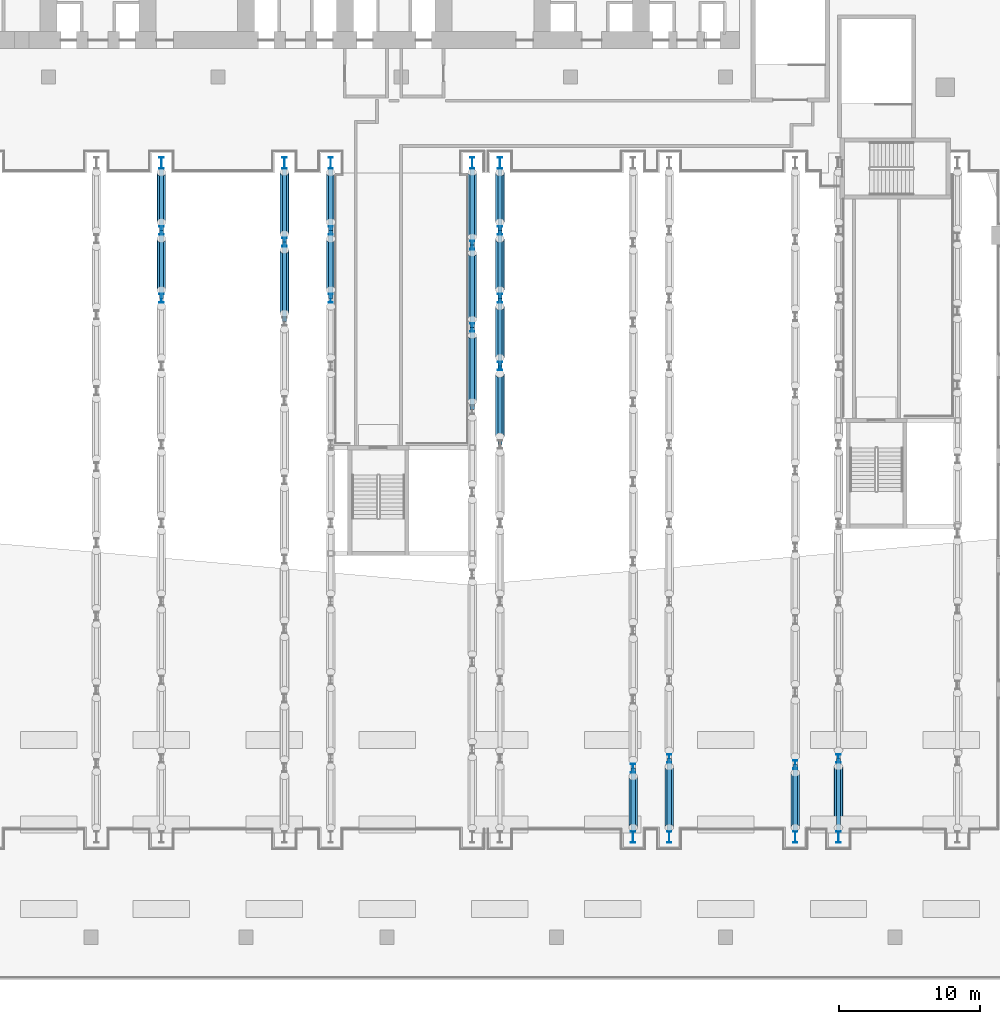
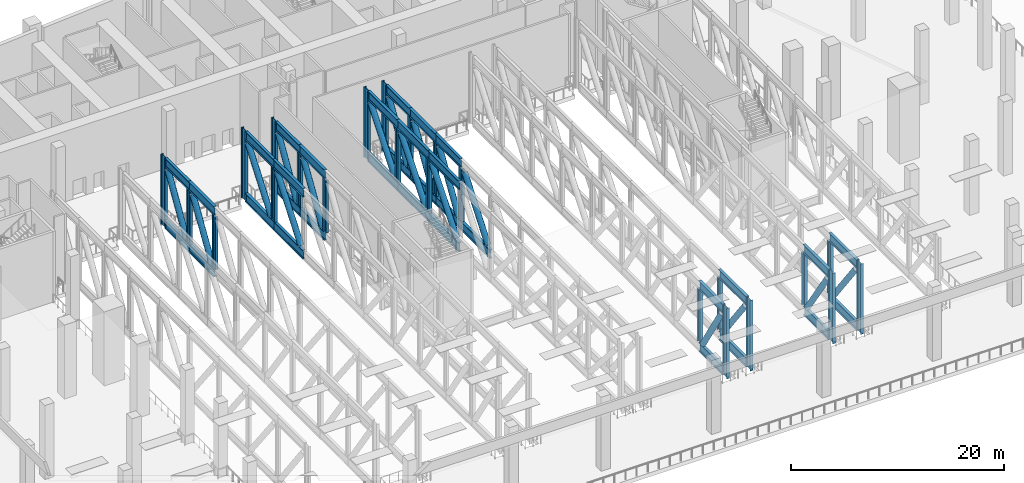
# One storey, part 4 of 33: 73 members.
"""IFC4 building model written with IfcOpenShell, lengths in metres."""

from ifc_helpers import new_model, si_unit, direction, frame, origin, origin_2d, place, context, subcontext, project, spatial, hollow_circle, i_section, extrude, material, material_profile, profile_set, type_object, element, save


model = new_model("IFC4")

# Units and contexts
model_context = context("Model", 3, precision=1e-05, world=origin(), true_north=direction((0.0, 1.0)))
body_context = subcontext(model_context, "Body", "Model", "MODEL_VIEW")
ifc_project = project(units=[si_unit("LENGTHUNIT", "METRE"), si_unit("AREAUNIT", "SQUARE_METRE"), si_unit("VOLUMEUNIT", "CUBIC_METRE"), si_unit("PLANEANGLEUNIT", "RADIAN"), si_unit("MASSUNIT", "GRAM", prefix="KILO")], contexts=[model_context])

# Site, building, storey
site_placement = place(None, origin())
site = spatial("IfcSite", under=ifc_project, at=site_placement, CompositionType="ELEMENT")
building_placement = place(site_placement, origin())
building = spatial("IfcBuilding", under=site, at=building_placement, Name="Wharfspan Tower", CompositionType="ELEMENT")
storey_placement = place(building_placement, frame((0.0, 0.0, 33.0)))
storey = spatial("IfcBuildingStorey", under=building, at=storey_placement, Name="L05", CompositionType="ELEMENT", Elevation=33.0)

# Members
ifc_material_1 = material(Name="Steel S460NH", Category="steel")
ifc_material_profile_1 = material_profile(ifc_material_1, hollow_circle(Radius=0.304932, WallThickness=0.030029, at=origin_2d()))
ifc_profile_set_1 = profile_set([ifc_material_profile_1], Name="Steel S460NH")
member_type_1 = type_object("IfcMemberType", Name="Truss member CHS 610x30", PredefinedType="BRACE", material=ifc_profile_set_1)
member_1_placement = place(storey_placement, frame((24.0, 20.507568, 6.935791), z_axis=(0.0, -0.530824, -0.847482), x_axis=(1.0, 0.0, 0.0)))
element("IfcMember", 1, at=member_1_placement, inside=storey, type_object=member_type_1, Name="Truss diagonal T3", PredefinedType="BRACE", context=body_context, shape_type="SweptSolid", body=[
    extrude(hollow_circle(Radius=0.304932, WallThickness=0.030029, at=origin_2d()), origin(), (0.0, 0.0, 1.0), 6.810059),
])
member_2_placement = place(storey_placement, frame((24.0, 25.208496, 6.938965), z_axis=(0.0, -0.519631, -0.854391), x_axis=(1.0, 0.0, 0.0)))
element("IfcMember", 2, at=member_2_placement, inside=storey, type_object=member_type_1, Name="Truss diagonal T3", PredefinedType="BRACE", context=body_context, shape_type="SweptSolid", body=[
    extrude(hollow_circle(Radius=0.304932, WallThickness=0.030029, at=origin_2d()), origin(), (0.0, 0.0, 1.0), 6.762695),
])
member_3_placement = place(storey_placement, frame((32.724121, 19.703125, 6.911133), z_axis=(0.0, -0.61529, -0.788301), x_axis=(1.0, 0.0, 0.0)))
element("IfcMember", 3, at=member_3_placement, inside=storey, type_object=member_type_1, Name="Truss diagonal T4", PredefinedType="BRACE", context=body_context, shape_type="SweptSolid", body=[
    extrude(hollow_circle(Radius=0.304932, WallThickness=0.030029, at=origin_2d()), origin(), (0.0, 0.0, 1.0), 7.258789),
])
member_4_placement = place(storey_placement, frame((32.724121, 25.224365, 6.913818), z_axis=(0.0, -0.606209, -0.795306), x_axis=(1.0, 0.0, 0.0)))
element("IfcMember", 4, at=member_4_placement, inside=storey, type_object=member_type_1, Name="Truss diagonal T4", PredefinedType="BRACE", context=body_context, shape_type="SweptSolid", body=[
    extrude(hollow_circle(Radius=0.304932, WallThickness=0.030029, at=origin_2d()), origin(), (0.0, 0.0, 1.0), 7.20166),
])
member_5_placement = place(storey_placement, frame((36.0, 20.507568, 6.935791), z_axis=(0.0, -0.530824, -0.847482), x_axis=(1.0, 0.0, 0.0)))
element("IfcMember", 5, at=member_5_placement, inside=storey, type_object=member_type_1, Name="Truss diagonal T5", PredefinedType="BRACE", context=body_context, shape_type="SweptSolid", body=[
    extrude(hollow_circle(Radius=0.304932, WallThickness=0.030029, at=origin_2d()), origin(), (0.0, 0.0, 1.0), 6.810059),
])
member_6_placement = place(storey_placement, frame((36.0, 25.208496, 6.938965), z_axis=(0.0, -0.519631, -0.854391), x_axis=(1.0, 0.0, 0.0)))
element("IfcMember", 6, at=member_6_placement, inside=storey, type_object=member_type_1, Name="Truss diagonal T5", PredefinedType="BRACE", context=body_context, shape_type="SweptSolid", body=[
    extrude(hollow_circle(Radius=0.304932, WallThickness=0.030029, at=origin_2d()), origin(), (0.0, 0.0, 1.0), 6.762695),
])
member_7_placement = place(storey_placement, frame((46.041992, 13.6604, 6.905518), z_axis=(0.0, -0.634545, -0.772886), x_axis=(1.0, 0.0, 0.0)))
element("IfcMember", 7, at=member_7_placement, inside=storey, type_object=member_type_1, Name="Truss diagonal T6", PredefinedType="BRACE", context=body_context, shape_type="SweptSolid", body=[
    extrude(hollow_circle(Radius=0.304932, WallThickness=0.030029, at=origin_2d()), origin(), (0.0, 0.0, 1.0), 7.38916),
])
member_8_placement = place(storey_placement, frame((46.041992, 19.493164, 6.905518), z_axis=(0.0, -0.634446, -0.772967), x_axis=(1.0, 0.0, 0.0)))
element("IfcMember", 8, at=member_8_placement, inside=storey, type_object=member_type_1, Name="Truss diagonal T6", PredefinedType="BRACE", context=body_context, shape_type="SweptSolid", body=[
    extrude(hollow_circle(Radius=0.304932, WallThickness=0.030029, at=origin_2d()), origin(), (0.0, 0.0, 1.0), 7.388428),
])
member_9_placement = place(storey_placement, frame((46.041992, 25.228516, 6.907959), z_axis=(0.0, -0.625962, -0.779854), x_axis=(1.0, 0.0, 0.0)))
element("IfcMember", 9, at=member_9_placement, inside=storey, type_object=member_type_1, Name="Truss diagonal T6", PredefinedType="BRACE", context=body_context, shape_type="SweptSolid", body=[
    extrude(hollow_circle(Radius=0.304932, WallThickness=0.030029, at=origin_2d()), origin(), (0.0, 0.0, 1.0), 7.329346),
])
member_10_placement = place(storey_placement, frame((48.0, 10.922119, 6.912598), z_axis=(0.0, -0.610359, -0.792125), x_axis=(1.0, 0.0, 0.0)))
element("IfcMember", 10, at=member_10_placement, inside=storey, type_object=member_type_1, Name="Truss diagonal T7", PredefinedType="BRACE", context=body_context, shape_type="SweptSolid", body=[
    extrude(hollow_circle(Radius=0.304932, WallThickness=0.030029, at=origin_2d()), origin(), (0.0, 0.0, 1.0), 7.227539),
])
for number, where, z_axis, x_axis, name in (
    (11, (48.0, 15.70752, 6.935791), (0.0, -0.530824, -0.847482), (1.0, 0.0, 0.0), "Truss diagonal T7"),
    (12, (48.0, 20.507568, 6.935791), (0.0, -0.530824, -0.847482), (1.0, 0.0, 0.0), "Truss diagonal T7"),
):
    element("IfcMember", number, at=place(storey_placement, frame(where, z_axis=z_axis, x_axis=x_axis)), inside=storey, type_object=member_type_1, Name=name, PredefinedType="BRACE", context=body_context, shape_type="SweptSolid", body=[
        extrude(hollow_circle(Radius=0.304932, WallThickness=0.030029, at=origin_2d()), origin(), (0.0, 0.0, 1.0), 6.810059),
    ])
member_11_placement = place(storey_placement, frame((48.0, 25.208496, 6.938965), z_axis=(0.0, -0.519631, -0.854391), x_axis=(1.0, 0.0, 0.0)))
element("IfcMember", 13, at=member_11_placement, inside=storey, type_object=member_type_1, Name="Truss diagonal T7", PredefinedType="BRACE", context=body_context, shape_type="SweptSolid", body=[
    extrude(hollow_circle(Radius=0.304932, WallThickness=0.030029, at=origin_2d()), origin(), (0.0, 0.0, 1.0), 6.762695),
])
member_12_placement = place(storey_placement, frame((57.441895, -21.210205, 6.936279), z_axis=(0.0, 0.529444, -0.848345), x_axis=(-1.0, 0.0, 0.0)))
element("IfcMember", 14, at=member_12_placement, inside=storey, type_object=member_type_1, Name="Truss diagonal T8", PredefinedType="BRACE", context=body_context, shape_type="SweptSolid", body=[
    extrude(hollow_circle(Radius=0.304932, WallThickness=0.030029, at=origin_2d()), origin(), (0.0, 0.0, 1.0), 6.804443),
])
member_13_placement = place(storey_placement, frame((60.0, -21.223389, 6.915283), z_axis=(0.0, 0.601154, -0.799133), x_axis=(-1.0, 0.0, 0.0)))
element("IfcMember", 15, at=member_13_placement, inside=storey, type_object=member_type_1, Name="Truss diagonal T9", PredefinedType="BRACE", context=body_context, shape_type="SweptSolid", body=[
    extrude(hollow_circle(Radius=0.304932, WallThickness=0.030029, at=origin_2d()), origin(), (0.0, 0.0, 1.0), 7.170898),
])
member_14_placement = place(storey_placement, frame((68.941895, -21.215088, 6.928223), z_axis=(0.0, 0.557241, -0.830351), x_axis=(-1.0, 0.0, 0.0)))
element("IfcMember", 16, at=member_14_placement, inside=storey, type_object=member_type_1, Name="Truss diagonal T10", PredefinedType="BRACE", context=body_context, shape_type="SweptSolid", body=[
    extrude(hollow_circle(Radius=0.304932, WallThickness=0.030029, at=origin_2d()), origin(), (0.0, 0.0, 1.0), 6.932373),
])
member_15_placement = place(storey_placement, frame((72.0, -21.223389, 6.915283), z_axis=(0.0, 0.601154, -0.799133), x_axis=(-1.0, 0.0, 0.0)))
element("IfcMember", 17, at=member_15_placement, inside=storey, type_object=member_type_1, Name="Truss diagonal T11", PredefinedType="BRACE", context=body_context, shape_type="SweptSolid", body=[
    extrude(hollow_circle(Radius=0.304932, WallThickness=0.030029, at=origin_2d()), origin(), (0.0, 0.0, 1.0), 7.170898),
])
ifc_material_2 = material(Name="Steel S460M", Category="steel")
ifc_material_profile_2 = material_profile(ifc_material_2, i_section(OverallWidth=0.302002, OverallDepth=1.008057, WebThickness=0.020996, FlangeThickness=0.040039, FilletRadius=0.030029, at=origin_2d()))
ifc_profile_set_2 = profile_set([ifc_material_profile_2], Name="Steel S460M")
member_type_2 = type_object("IfcMemberType", Name="Truss member HE 1000 M", PredefinedType="CHORD", material=ifc_profile_set_2)
for number, where, z_axis, x_axis, name in (
    (18, (24.0, 16.300049, 7.595947), (0.0, 1.0, 0.0), (-1.0, 0.0, 0.0), "Top chord T3"),
    (19, (24.0, 16.300049, 0.503906), (0.0, 1.0, 0.0), (-1.0, 0.0, 0.0), "Bottom chord T3"),
):
    element("IfcMember", number, at=place(storey_placement, frame(where, z_axis=z_axis, x_axis=x_axis)), inside=storey, type_object=member_type_2, Name=name, PredefinedType="CHORD", context=body_context, shape_type="SweptSolid", body=[
        extrude(i_section(OverallWidth=0.302002, OverallDepth=1.008057, WebThickness=0.020996, FlangeThickness=0.040039, FilletRadius=0.030029, at=origin_2d()), origin(), (0.0, 0.0, 1.0), 4.800049),
    ])
for number, where, z_axis, x_axis, name in (
    (20, (24.0, 21.100098, 7.595947), (0.0, 1.0, 0.0), (-1.0, 0.0, 0.0), "Top chord T3"),
    (21, (24.0, 21.100098, 0.503906), (0.0, 1.0, 0.0), (-1.0, 0.0, 0.0), "Bottom chord T3"),
):
    element("IfcMember", number, at=place(storey_placement, frame(where, z_axis=z_axis, x_axis=x_axis)), inside=storey, type_object=member_type_2, Name=name, PredefinedType="CHORD", context=body_context, shape_type="SweptSolid", body=[
        extrude(i_section(OverallWidth=0.302002, OverallDepth=1.008057, WebThickness=0.020996, FlangeThickness=0.040039, FilletRadius=0.030029, at=origin_2d()), origin(), (0.0, 0.0, 1.0), 4.392822),
    ])
for number, where, z_axis, x_axis, name in (
    (22, (32.724121, 14.659912, 7.595947), (0.0, 1.0, 0.0), (-1.0, 0.0, 0.0), "Top chord T4"),
    (23, (32.724121, 14.659912, 0.503906), (0.0, 1.0, 0.0), (-1.0, 0.0, 0.0), "Bottom chord T4"),
):
    element("IfcMember", number, at=place(storey_placement, frame(where, z_axis=z_axis, x_axis=x_axis)), inside=storey, type_object=member_type_2, Name=name, PredefinedType="CHORD", context=body_context, shape_type="SweptSolid", body=[
        extrude(i_section(OverallWidth=0.302002, OverallDepth=1.008057, WebThickness=0.020996, FlangeThickness=0.040039, FilletRadius=0.030029, at=origin_2d()), origin(), (0.0, 0.0, 1.0), 5.620117),
    ])
for number, where, z_axis, x_axis, name in (
    (24, (32.724121, 20.280029, 7.595947), (0.0, 1.0, 0.0), (-1.0, 0.0, 0.0), "Top chord T4"),
    (25, (32.724121, 20.280029, 0.503906), (0.0, 1.0, 0.0), (-1.0, 0.0, 0.0), "Bottom chord T4"),
):
    element("IfcMember", number, at=place(storey_placement, frame(where, z_axis=z_axis, x_axis=x_axis)), inside=storey, type_object=member_type_2, Name=name, PredefinedType="CHORD", context=body_context, shape_type="SweptSolid", body=[
        extrude(i_section(OverallWidth=0.302002, OverallDepth=1.008057, WebThickness=0.020996, FlangeThickness=0.040039, FilletRadius=0.030029, at=origin_2d()), origin(), (0.0, 0.0, 1.0), 5.212891),
    ])
for number, where, z_axis, x_axis, name in (
    (26, (36.0, 16.300049, 7.595947), (0.0, 1.0, 0.0), (-1.0, 0.0, 0.0), "Top chord T5"),
    (27, (36.0, 16.300049, 0.503906), (0.0, 1.0, 0.0), (-1.0, 0.0, 0.0), "Bottom chord T5"),
):
    element("IfcMember", number, at=place(storey_placement, frame(where, z_axis=z_axis, x_axis=x_axis)), inside=storey, type_object=member_type_2, Name=name, PredefinedType="CHORD", context=body_context, shape_type="SweptSolid", body=[
        extrude(i_section(OverallWidth=0.302002, OverallDepth=1.008057, WebThickness=0.020996, FlangeThickness=0.040039, FilletRadius=0.030029, at=origin_2d()), origin(), (0.0, 0.0, 1.0), 4.800049),
    ])
for number, where, z_axis, x_axis, name in (
    (28, (36.0, 21.100098, 7.595947), (0.0, 1.0, 0.0), (-1.0, 0.0, 0.0), "Top chord T5"),
    (29, (36.0, 21.100098, 0.503906), (0.0, 1.0, 0.0), (-1.0, 0.0, 0.0), "Bottom chord T5"),
):
    element("IfcMember", number, at=place(storey_placement, frame(where, z_axis=z_axis, x_axis=x_axis)), inside=storey, type_object=member_type_2, Name=name, PredefinedType="CHORD", context=body_context, shape_type="SweptSolid", body=[
        extrude(i_section(OverallWidth=0.302002, OverallDepth=1.008057, WebThickness=0.020996, FlangeThickness=0.040039, FilletRadius=0.030029, at=origin_2d()), origin(), (0.0, 0.0, 1.0), 4.392822),
    ])
for number, where, z_axis, x_axis, name in (
    (30, (46.041992, 8.398926, 7.595947), (0.0, 1.0, 0.0), (-1.0, 0.0, 0.0), "Top chord T6"),
    (31, (46.041992, 8.398926, 0.503906), (0.0, 1.0, 0.0), (-1.0, 0.0, 0.0), "Bottom chord T6"),
):
    element("IfcMember", number, at=place(storey_placement, frame(where, z_axis=z_axis, x_axis=x_axis)), inside=storey, type_object=member_type_2, Name=name, PredefinedType="CHORD", context=body_context, shape_type="SweptSolid", body=[
        extrude(i_section(OverallWidth=0.302002, OverallDepth=1.008057, WebThickness=0.020996, FlangeThickness=0.040039, FilletRadius=0.030029, at=origin_2d()), origin(), (0.0, 0.0, 1.0), 5.833984),
    ])
for number, where, z_axis, x_axis, name in (
    (32, (46.041992, 14.23291, 7.595947), (0.0, 1.0, 0.0), (-1.0, 0.0, 0.0), "Top chord T6"),
    (33, (46.041992, 14.23291, 0.503906), (0.0, 1.0, 0.0), (-1.0, 0.0, 0.0), "Bottom chord T6"),
):
    element("IfcMember", number, at=place(storey_placement, frame(where, z_axis=z_axis, x_axis=x_axis)), inside=storey, type_object=member_type_2, Name=name, PredefinedType="CHORD", context=body_context, shape_type="SweptSolid", body=[
        extrude(i_section(OverallWidth=0.302002, OverallDepth=1.008057, WebThickness=0.020996, FlangeThickness=0.040039, FilletRadius=0.030029, at=origin_2d()), origin(), (0.0, 0.0, 1.0), 5.833008),
    ])
for number, where, z_axis, x_axis, name in (
    (34, (46.041992, 20.065918, 7.595947), (0.0, 1.0, 0.0), (-1.0, 0.0, 0.0), "Top chord T6"),
    (35, (46.041992, 20.065918, 0.503906), (0.0, 1.0, 0.0), (-1.0, 0.0, 0.0), "Bottom chord T6"),
):
    element("IfcMember", number, at=place(storey_placement, frame(where, z_axis=z_axis, x_axis=x_axis)), inside=storey, type_object=member_type_2, Name=name, PredefinedType="CHORD", context=body_context, shape_type="SweptSolid", body=[
        extrude(i_section(OverallWidth=0.302002, OverallDepth=1.008057, WebThickness=0.020996, FlangeThickness=0.040039, FilletRadius=0.030029, at=origin_2d()), origin(), (0.0, 0.0, 1.0), 5.427002),
    ])
member_16_placement = place(storey_placement, frame((48.0, 5.933105, 0.503906), z_axis=(0.0, 1.0, 0.0), x_axis=(-1.0, 0.0, 0.0)))
element("IfcMember", 36, at=member_16_placement, inside=storey, type_object=member_type_2, Name="Bottom chord T7", PredefinedType="CHORD", context=body_context, shape_type="SweptSolid", body=[
    extrude(i_section(OverallWidth=0.302002, OverallDepth=1.008057, WebThickness=0.020996, FlangeThickness=0.040039, FilletRadius=0.030029, at=origin_2d()), origin(), (0.0, 0.0, 1.0), 5.566895),
])
for number, where, z_axis, x_axis, name in (
    (37, (48.0, 11.5, 7.595947), (0.0, 1.0, 0.0), (-1.0, 0.0, 0.0), "Top chord T7"),
    (38, (48.0, 11.5, 0.503906), (0.0, 1.0, 0.0), (-1.0, 0.0, 0.0), "Bottom chord T7"),
    (39, (48.0, 16.300049, 7.595947), (0.0, 1.0, 0.0), (-1.0, 0.0, 0.0), "Top chord T7"),
    (40, (48.0, 16.300049, 0.503906), (0.0, 1.0, 0.0), (-1.0, 0.0, 0.0), "Bottom chord T7"),
):
    element("IfcMember", number, at=place(storey_placement, frame(where, z_axis=z_axis, x_axis=x_axis)), inside=storey, type_object=member_type_2, Name=name, PredefinedType="CHORD", context=body_context, shape_type="SweptSolid", body=[
        extrude(i_section(OverallWidth=0.302002, OverallDepth=1.008057, WebThickness=0.020996, FlangeThickness=0.040039, FilletRadius=0.030029, at=origin_2d()), origin(), (0.0, 0.0, 1.0), 4.800049),
    ])
for number, where, z_axis, x_axis, name in (
    (41, (48.0, 21.100098, 7.595947), (0.0, 1.0, 0.0), (-1.0, 0.0, 0.0), "Top chord T7"),
    (42, (48.0, 21.100098, 0.503906), (0.0, 1.0, 0.0), (-1.0, 0.0, 0.0), "Bottom chord T7"),
):
    element("IfcMember", number, at=place(storey_placement, frame(where, z_axis=z_axis, x_axis=x_axis)), inside=storey, type_object=member_type_2, Name=name, PredefinedType="CHORD", context=body_context, shape_type="SweptSolid", body=[
        extrude(i_section(OverallWidth=0.302002, OverallDepth=1.008057, WebThickness=0.020996, FlangeThickness=0.040039, FilletRadius=0.030029, at=origin_2d()), origin(), (0.0, 0.0, 1.0), 4.392822),
    ])
for number, where, z_axis, x_axis, name in (
    (43, (57.441895, -21.49292, 7.595947), (0.0, 1.0, 0.0), (-1.0, 0.0, 0.0), "Top chord T8"),
    (44, (57.441895, -21.49292, 0.503906), (0.0, 1.0, 0.0), (-1.0, 0.0, 0.0), "Bottom chord T8"),
):
    element("IfcMember", number, at=place(storey_placement, frame(where, z_axis=z_axis, x_axis=x_axis)), inside=storey, type_object=member_type_2, Name=name, PredefinedType="CHORD", context=body_context, shape_type="SweptSolid", body=[
        extrude(i_section(OverallWidth=0.302002, OverallDepth=1.008057, WebThickness=0.020996, FlangeThickness=0.040039, FilletRadius=0.030029, at=origin_2d()), origin(), (0.0, 0.0, 1.0), 4.478027),
    ])
for number, where, z_axis, x_axis, name in (
    (45, (60.0, -21.49292, 7.595947), (0.0, 1.0, 0.0), (-1.0, 0.0, 0.0), "Top chord T9"),
    (46, (60.0, -21.49292, 0.503906), (0.0, 1.0, 0.0), (-1.0, 0.0, 0.0), "Bottom chord T9"),
):
    element("IfcMember", number, at=place(storey_placement, frame(where, z_axis=z_axis, x_axis=x_axis)), inside=storey, type_object=member_type_2, Name=name, PredefinedType="CHORD", context=body_context, shape_type="SweptSolid", body=[
        extrude(i_section(OverallWidth=0.302002, OverallDepth=1.008057, WebThickness=0.020996, FlangeThickness=0.040039, FilletRadius=0.030029, at=origin_2d()), origin(), (0.0, 0.0, 1.0), 5.159912),
    ])
for number, where, z_axis, x_axis, name in (
    (47, (68.941895, -21.49292, 7.595947), (0.0, 1.0, 0.0), (-1.0, 0.0, 0.0), "Top chord T10"),
    (48, (68.941895, -21.49292, 0.503906), (0.0, 1.0, 0.0), (-1.0, 0.0, 0.0), "Bottom chord T10"),
):
    element("IfcMember", number, at=place(storey_placement, frame(where, z_axis=z_axis, x_axis=x_axis)), inside=storey, type_object=member_type_2, Name=name, PredefinedType="CHORD", context=body_context, shape_type="SweptSolid", body=[
        extrude(i_section(OverallWidth=0.302002, OverallDepth=1.008057, WebThickness=0.020996, FlangeThickness=0.040039, FilletRadius=0.030029, at=origin_2d()), origin(), (0.0, 0.0, 1.0), 4.729004),
    ])
for number, where, z_axis, x_axis, name in (
    (49, (72.0, -21.49292, 7.595947), (0.0, 1.0, 0.0), (-1.0, 0.0, 0.0), "Top chord T11"),
    (50, (72.0, -21.49292, 0.503906), (0.0, 1.0, 0.0), (-1.0, 0.0, 0.0), "Bottom chord T11"),
):
    element("IfcMember", number, at=place(storey_placement, frame(where, z_axis=z_axis, x_axis=x_axis)), inside=storey, type_object=member_type_2, Name=name, PredefinedType="CHORD", context=body_context, shape_type="SweptSolid", body=[
        extrude(i_section(OverallWidth=0.302002, OverallDepth=1.008057, WebThickness=0.020996, FlangeThickness=0.040039, FilletRadius=0.030029, at=origin_2d()), origin(), (0.0, 0.0, 1.0), 5.159912),
    ])
ifc_material_profile_3 = material_profile(ifc_material_2, i_section(OverallWidth=0.304932, OverallDepth=0.620117, WebThickness=0.020996, FlangeThickness=0.040039, FilletRadius=0.0271, at=origin_2d()))
ifc_profile_set_3 = profile_set([ifc_material_profile_3], Name="Steel S460M")
member_type_3 = type_object("IfcMemberType", Name="Truss member HE 600 M", PredefinedType="CHORD", material=ifc_profile_set_3)
for number, where, z_axis, x_axis, name in (
    (51, (24.0, 16.300049, 1.008057), (0.0, 0.0, 1.0), (1.0, 0.0, 0.0), "Truss post T3"),
    (52, (24.0, 21.100098, 1.008057), (0.0, 0.0, 1.0), (1.0, 0.0, 0.0), "Truss post T3"),
    (53, (32.724121, 20.280029, 1.008057), (0.0, 0.0, 1.0), (1.0, 0.0, 0.0), "Truss post T4"),
    (54, (36.0, 16.300049, 1.008057), (0.0, 0.0, 1.0), (1.0, 0.0, 0.0), "Truss post T5"),
    (55, (36.0, 21.100098, 1.008057), (0.0, 0.0, 1.0), (1.0, 0.0, 0.0), "Truss post T5"),
    (56, (46.041992, 14.23291, 1.008057), (0.0, 0.0, 1.0), (1.0, 0.0, 0.0), "Truss post T6"),
    (57, (46.041992, 20.065918, 1.008057), (0.0, 0.0, 1.0), (1.0, 0.0, 0.0), "Truss post T6"),
    (58, (48.0, 11.5, 1.008057), (0.0, 0.0, 1.0), (1.0, 0.0, 0.0), "Truss post T7"),
    (59, (48.0, 16.300049, 1.008057), (0.0, 0.0, 1.0), (1.0, 0.0, 0.0), "Truss post T7"),
    (60, (48.0, 21.100098, 1.008057), (0.0, 0.0, 1.0), (1.0, 0.0, 0.0), "Truss post T7"),
    (61, (57.441895, -17.014893, 1.008057), (0.0, 0.0, 1.0), (1.0, 0.0, 0.0), "Truss post T8"),
    (62, (60.0, -16.333008, 1.008057), (0.0, 0.0, 1.0), (1.0, 0.0, 0.0), "Truss post T9"),
    (63, (68.941895, -16.763916, 1.008057), (0.0, 0.0, 1.0), (1.0, 0.0, 0.0), "Truss post T10"),
    (64, (72.0, -16.333008, 1.008057), (0.0, 0.0, 1.0), (1.0, 0.0, 0.0), "Truss post T11"),
):
    element("IfcMember", number, at=place(storey_placement, frame(where, z_axis=z_axis, x_axis=x_axis)), inside=storey, type_object=member_type_3, Name=name, PredefinedType="CHORD", context=body_context, shape_type="SweptSolid", body=[
        extrude(i_section(OverallWidth=0.304932, OverallDepth=0.620117, WebThickness=0.020996, FlangeThickness=0.040039, FilletRadius=0.0271, at=origin_2d()), origin(), (0.0, 0.0, 1.0), 6.083984),
    ])
ifc_material_profile_4 = material_profile(ifc_material_2, i_section(OverallWidth=0.302979, OverallDepth=0.813965, WebThickness=0.020996, FlangeThickness=0.040039, FilletRadius=0.030029, at=origin_2d()))
ifc_profile_set_4 = profile_set([ifc_material_profile_4], Name="Steel S460M")
member_type_4 = type_object("IfcMemberType", Name="Truss member HE 800 M", PredefinedType="CHORD", material=ifc_profile_set_4)
for number, where, z_axis, x_axis, name in (
    (65, (24.0, 25.899902, 0.0), (0.0, 0.0, 1.0), (1.0, 0.0, 0.0), "Truss post T3"),
    (66, (32.724121, 25.899902, 0.0), (0.0, 0.0, 1.0), (1.0, 0.0, 0.0), "Truss post T4"),
    (67, (36.0, 25.899902, 0.0), (0.0, 0.0, 1.0), (1.0, 0.0, 0.0), "Truss post T5"),
    (68, (46.041992, 25.899902, 0.0), (0.0, 0.0, 1.0), (1.0, 0.0, 0.0), "Truss post T6"),
    (69, (48.0, 25.899902, 0.0), (0.0, 0.0, 1.0), (1.0, 0.0, 0.0), "Truss post T7"),
    (70, (57.441895, -21.899902, 0.0), (0.0, 0.0, 1.0), (1.0, 0.0, 0.0), "Truss post T8"),
    (71, (60.0, -21.899902, 0.0), (0.0, 0.0, 1.0), (1.0, 0.0, 0.0), "Truss post T9"),
    (72, (68.941895, -21.899902, 0.0), (0.0, 0.0, 1.0), (1.0, 0.0, 0.0), "Truss post T10"),
    (73, (72.0, -21.899902, 0.0), (0.0, 0.0, 1.0), (1.0, 0.0, 0.0), "Truss post T11"),
):
    element("IfcMember", number, at=place(storey_placement, frame(where, z_axis=z_axis, x_axis=x_axis)), inside=storey, type_object=member_type_4, Name=name, PredefinedType="CHORD", context=body_context, shape_type="SweptSolid", body=[
        extrude(i_section(OverallWidth=0.302979, OverallDepth=0.813965, WebThickness=0.020996, FlangeThickness=0.040039, FilletRadius=0.030029, at=origin_2d()), origin(), (0.0, 0.0, 1.0), 8.100098),
    ])

save(model, "model.ifc")
